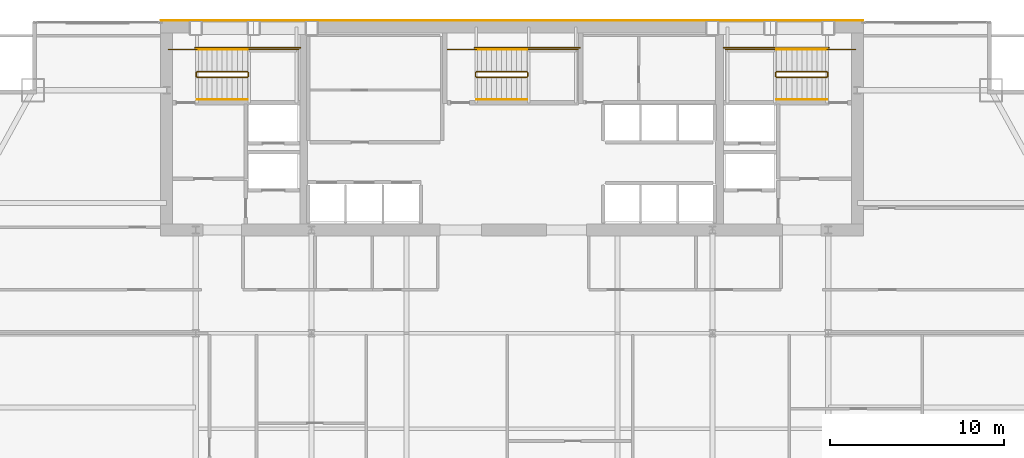
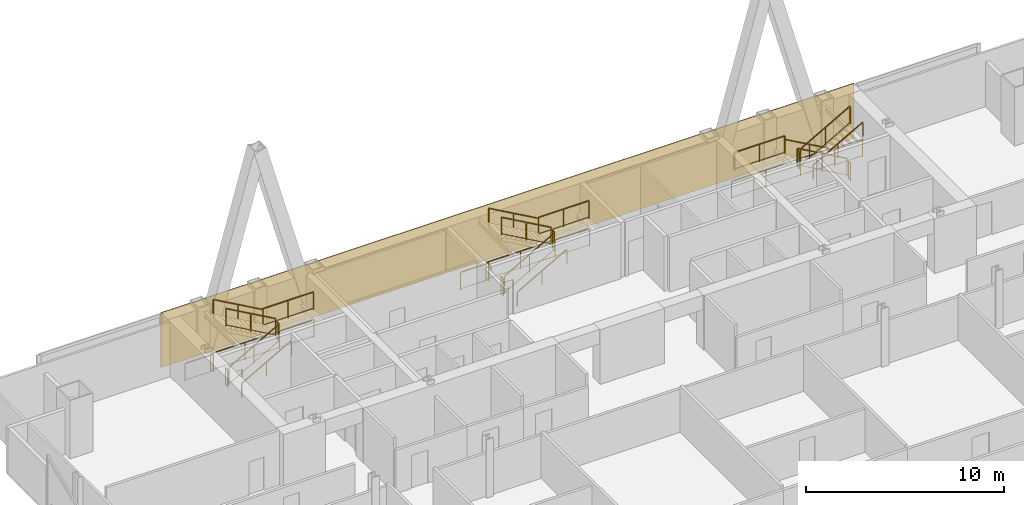
# One storey, part 31 of 31: 27 railings, 1 covering.
"""IFC4 building model written with IfcOpenShell, lengths in metres."""

from ifc_helpers import new_model, si_unit, direction, frame, origin, origin_2d, place, context, subcontext, project, spatial, polyline, rectangle, outline, extrude, material, layer, layer_set, type_object, element, save


model = new_model("IFC4")

# Units and contexts
model_context = context("Model", 3, precision=1e-05, world=origin(), true_north=direction((0.0, 1.0)))
body_context = subcontext(model_context, "Body", "Model", "MODEL_VIEW")
ifc_project = project(units=[si_unit("LENGTHUNIT", "METRE"), si_unit("AREAUNIT", "SQUARE_METRE"), si_unit("VOLUMEUNIT", "CUBIC_METRE"), si_unit("PLANEANGLEUNIT", "RADIAN"), si_unit("MASSUNIT", "GRAM", prefix="KILO")], contexts=[model_context])

# Site, building, storey
site_placement = place(None, origin())
site = spatial("IfcSite", under=ifc_project, at=site_placement, CompositionType="ELEMENT")
building_placement = place(site_placement, origin())
building = spatial("IfcBuilding", under=site, at=building_placement, Name="Khoronbel Lancet Exchange", CompositionType="ELEMENT")
storey_placement = place(building_placement, frame((0.0, 0.0, 168.60009765625)))
storey = spatial("IfcBuildingStorey", under=building, at=storey_placement, Name="L42", CompositionType="ELEMENT", Elevation=168.60009765625)

# Covering
ifc_material_1 = material(Name="Honed Egyptian Limestone & Bronze Rainscreen", Category="masonry")
ifc_layer = layer(ifc_material_1, 0.050048828125, Name="Honed Egyptian Limestone & Bronze Rainscreen")
ifc_layer_set = layer_set([ifc_layer], Name="Honed Egyptian Limestone & Bronze Rainscreen")
covering_type = type_object("IfcCoveringType", Name="COV-CLAD1", PredefinedType="CLADDING", material=ifc_layer_set)
covering_placement = place(storey_placement, origin())
element("IfcCovering", 1, at=covering_placement, inside=storey, type_object=covering_type, Name="Level L42 north rear-core stone and bronze rainscreen cladding", PredefinedType="CLADDING", context=body_context, shape_type="SweptSolid", body=[
    extrude(outline(polyline([(16.199951171875, 53.699951171875), (56.699951171875, 53.699951171875), (56.699951171875, 53.75), (16.199951171875, 53.75), (16.199951171875, 53.699951171875)])), origin(), (0.0, 0.0, 1.0), 3.3798828125),
])

# Railings
ifc_material_2 = material(Name="Painted Steel Balustrade", Category="steel")
railing_type_1 = type_object("IfcRailingType", Name="RL-STG110", PredefinedType="GUARDRAIL", material=ifc_material_2)
railing_1_placement = place(storey_placement, frame((18.300048828125, 50.449951171875, 0.16357421875)))
element("IfcRailing", 2, at=railing_1_placement, inside=storey, type_object=railing_type_1, Name="L42 ST1 stair guard 1", PredefinedType="GUARDRAIL", context=body_context, shape_type="SweptSolid", body=[
    extrude(rectangle(XDim=0.048095703125, YDim=0.048095703125, at=origin_2d()), frame((0.0, 0.0, 1.09619140625), z_axis=(0.870928581787, 0.0, 0.491409610636), x_axis=(0.0, 1.0, 0.0)), (0.0, 0.0, 1.0), 3.32958984375),
    extrude(rectangle(XDim=0.02392578125, YDim=0.02392578125, at=origin_2d()), frame((0.0, 0.0, 0.080078125), z_axis=(0.870928581787, 0.0, 0.491409610636), x_axis=(0.0, 1.0, 0.0)), (0.0, 0.0, 1.0), 3.32958984375),
    extrude(rectangle(XDim=0.0419921875, YDim=0.0419921875, at=origin_2d()), origin(), (0.0, 0.0, 1.0), 1.072021484375),
    extrude(rectangle(XDim=0.0419921875, YDim=0.0419921875, at=origin_2d()), frame((1.449951171875, 0.0, 0.818115234375)), (0.0, 0.0, 1.0), 1.072021484375),
    extrude(rectangle(XDim=0.0419921875, YDim=0.0419921875, at=origin_2d()), frame((2.89990234375, 0.0, 1.63623046875)), (0.0, 0.0, 1.0), 1.072021484375),
])
railing_2_placement = place(storey_placement, frame((21.25, 50.5, 1.7998046875)))
element("IfcRailing", 3, at=railing_2_placement, inside=storey, type_object=railing_type_1, Name="L42 ST1 stair guard 2", PredefinedType="GUARDRAIL", context=body_context, shape_type="SweptSolid", body=[
    extrude(rectangle(XDim=0.048095703125, YDim=0.048095703125, at=origin_2d()), frame((0.0, 0.0, 1.09619140625), z_axis=(0.0, 1.0, 0.0), x_axis=(-1.0, 0.0, 0.0)), (0.0, 0.0, 1.0), 0.219970703125),
    extrude(rectangle(XDim=0.02392578125, YDim=0.02392578125, at=origin_2d()), frame((0.0, 0.0, 0.080078125), z_axis=(0.0, 1.0, 0.0), x_axis=(-1.0, 0.0, 0.0)), (0.0, 0.0, 1.0), 0.219970703125),
    extrude(rectangle(XDim=0.0419921875, YDim=0.0419921875, at=origin_2d()), origin(), (0.0, 0.0, 1.0), 1.072021484375),
    extrude(rectangle(XDim=0.0419921875, YDim=0.0419921875, at=origin_2d()), frame((0.0, 0.219970703125, 0.0)), (0.0, 0.0, 1.0), 1.072021484375),
])
railing_3_placement = place(storey_placement, frame((21.199951171875, 52.050048828125, 1.7998046875)))
element("IfcRailing", 4, at=railing_3_placement, inside=storey, type_object=railing_type_1, Name="L42 ST1 stair guard 3", PredefinedType="GUARDRAIL", context=body_context, shape_type="SweptSolid", body=[
    extrude(rectangle(XDim=0.048095703125, YDim=0.048095703125, at=origin_2d()), frame((0.0, 0.0, 1.09619140625), z_axis=(1.0, 0.0, 0.0), x_axis=(0.0, 1.0, 0.0)), (0.0, 0.0, 1.0), 2.949951171875),
    extrude(rectangle(XDim=0.02392578125, YDim=0.02392578125, at=origin_2d()), frame((0.0, 0.0, 0.080078125), z_axis=(1.0, 0.0, 0.0), x_axis=(0.0, 1.0, 0.0)), (0.0, 0.0, 1.0), 2.949951171875),
    extrude(rectangle(XDim=0.0419921875, YDim=0.0419921875, at=origin_2d()), origin(), (0.0, 0.0, 1.0), 1.072021484375),
    extrude(rectangle(XDim=0.0419921875, YDim=0.0419921875, at=origin_2d()), frame((1.47509765625, 0.0, 0.0)), (0.0, 0.0, 1.0), 1.072021484375),
    extrude(rectangle(XDim=0.0419921875, YDim=0.0419921875, at=origin_2d()), frame((2.949951171875, 0.0, 0.0)), (0.0, 0.0, 1.0), 1.072021484375),
])
railing_4_placement = place(storey_placement, frame((21.199951171875, 50.77001953125, 1.963623046875)))
element("IfcRailing", 5, at=railing_4_placement, inside=storey, type_object=railing_type_1, Name="L42 ST1 stair guard 4", PredefinedType="GUARDRAIL", context=body_context, shape_type="SweptSolid", body=[
    extrude(rectangle(XDim=0.048095703125, YDim=0.048095703125, at=origin_2d()), frame((0.0, 0.0, 1.09619140625), z_axis=(-0.870928581787, 0.0, 0.491409610636), x_axis=(0.0, -1.0, 0.0)), (0.0, 0.0, 1.0), 3.32958984375),
    extrude(rectangle(XDim=0.02392578125, YDim=0.02392578125, at=origin_2d()), frame((0.0, 0.0, 0.080078125), z_axis=(-0.870928581787, 0.0, 0.491409610636), x_axis=(0.0, -1.0, 0.0)), (0.0, 0.0, 1.0), 3.32958984375),
    extrude(rectangle(XDim=0.0419921875, YDim=0.0419921875, at=origin_2d()), origin(), (0.0, 0.0, 1.0), 1.072021484375),
    extrude(rectangle(XDim=0.0419921875, YDim=0.0419921875, at=origin_2d()), frame((-1.449951171875, 0.0, 0.818115234375)), (0.0, 0.0, 1.0), 1.072021484375),
    extrude(rectangle(XDim=0.0419921875, YDim=0.0419921875, at=origin_2d()), frame((-2.89990234375, 0.0, 1.63623046875)), (0.0, 0.0, 1.0), 1.072021484375),
])
railing_5_placement = place(storey_placement, frame((18.25, 50.5, 0.0)))
element("IfcRailing", 6, at=railing_5_placement, inside=storey, type_object=railing_type_1, Name="L42 ST1 stair guard 5", PredefinedType="GUARDRAIL", context=body_context, shape_type="SweptSolid", body=[
    extrude(rectangle(XDim=0.048095703125, YDim=0.048095703125, at=origin_2d()), frame((0.0, 0.0, 1.09619140625), z_axis=(0.0, 1.0, 0.0), x_axis=(-1.0, 0.0, 0.0)), (0.0, 0.0, 1.0), 0.219970703125),
    extrude(rectangle(XDim=0.02392578125, YDim=0.02392578125, at=origin_2d()), frame((0.0, 0.0, 0.080078125), z_axis=(0.0, 1.0, 0.0), x_axis=(-1.0, 0.0, 0.0)), (0.0, 0.0, 1.0), 0.219970703125),
    extrude(rectangle(XDim=0.0419921875, YDim=0.0419921875, at=origin_2d()), origin(), (0.0, 0.0, 1.0), 1.072021484375),
    extrude(rectangle(XDim=0.0419921875, YDim=0.0419921875, at=origin_2d()), frame((0.0, 0.219970703125, 0.0)), (0.0, 0.0, 1.0), 1.072021484375),
])
railing_6_placement = place(storey_placement, frame((16.64990234375, 52.050048828125, 0.0)))
element("IfcRailing", 7, at=railing_6_placement, inside=storey, type_object=railing_type_1, Name="L42 ST1 stair guard 6", PredefinedType="GUARDRAIL", context=body_context, shape_type="SweptSolid", body=[
    extrude(rectangle(XDim=0.048095703125, YDim=0.048095703125, at=origin_2d()), frame((0.0, 0.0, 1.09619140625), z_axis=(1.0, 0.0, 0.0), x_axis=(0.0, 1.0, 0.0)), (0.0, 0.0, 1.0), 1.650146484375),
    extrude(rectangle(XDim=0.02392578125, YDim=0.02392578125, at=origin_2d()), frame((0.0, 0.0, 0.080078125), z_axis=(1.0, 0.0, 0.0), x_axis=(0.0, 1.0, 0.0)), (0.0, 0.0, 1.0), 1.650146484375),
    extrude(rectangle(XDim=0.0419921875, YDim=0.0419921875, at=origin_2d()), origin(), (0.0, 0.0, 1.0), 1.072021484375),
    extrude(rectangle(XDim=0.0419921875, YDim=0.0419921875, at=origin_2d()), frame((1.650146484375, 0.0, 0.0)), (0.0, 0.0, 1.0), 1.072021484375),
])
railing_7_placement = place(storey_placement, frame((18.199951171875, 52.14990234375, 0.0)))
element("IfcRailing", 8, at=railing_7_placement, inside=storey, type_object=railing_type_1, Name="L42 ST1 stair guard 7", PredefinedType="GUARDRAIL", context=body_context, shape_type="SweptSolid", body=[
    extrude(rectangle(XDim=0.048095703125, YDim=0.048095703125, at=origin_2d()), frame((0.0, 0.0, 1.09619140625), z_axis=(1.0, 0.0, 0.0), x_axis=(0.0, 1.0, 0.0)), (0.0, 0.0, 1.0), 6.050048828125),
    extrude(rectangle(XDim=0.02392578125, YDim=0.02392578125, at=origin_2d()), frame((0.0, 0.0, 0.080078125), z_axis=(1.0, 0.0, 0.0), x_axis=(0.0, 1.0, 0.0)), (0.0, 0.0, 1.0), 6.050048828125),
    extrude(rectangle(XDim=0.0419921875, YDim=0.0419921875, at=origin_2d()), origin(), (0.0, 0.0, 1.0), 1.072021484375),
    extrude(rectangle(XDim=0.0419921875, YDim=0.0419921875, at=origin_2d()), frame((2.0166015625, 0.0, 0.0)), (0.0, 0.0, 1.0), 1.072021484375),
    extrude(rectangle(XDim=0.0419921875, YDim=0.0419921875, at=origin_2d()), frame((4.033447265625, 0.0, 0.0)), (0.0, 0.0, 1.0), 1.072021484375),
    extrude(rectangle(XDim=0.0419921875, YDim=0.0419921875, at=origin_2d()), frame((6.050048828125, 0.0, 0.0)), (0.0, 0.0, 1.0), 1.072021484375),
])
railing_8_placement = place(storey_placement, frame((54.60009765625, 50.77001953125, 0.16357421875)))
element("IfcRailing", 9, at=railing_8_placement, inside=storey, type_object=railing_type_1, Name="L42 ST2 stair guard 1", PredefinedType="GUARDRAIL", context=body_context, shape_type="SweptSolid", body=[
    extrude(rectangle(XDim=0.048095703125, YDim=0.048095703125, at=origin_2d()), frame((0.0, 0.0, 1.09619140625), z_axis=(-0.870946286338, 0.0, 0.49137823142), x_axis=(0.0, -1.0, 0.0)), (0.0, 0.0, 1.0), 3.329833984375),
    extrude(rectangle(XDim=0.02392578125, YDim=0.02392578125, at=origin_2d()), frame((0.0, 0.0, 0.080078125), z_axis=(-0.870946286338, 0.0, 0.49137823142), x_axis=(0.0, -1.0, 0.0)), (0.0, 0.0, 1.0), 3.329833984375),
    extrude(rectangle(XDim=0.0419921875, YDim=0.0419921875, at=origin_2d()), origin(), (0.0, 0.0, 1.0), 1.072021484375),
    extrude(rectangle(XDim=0.0419921875, YDim=0.0419921875, at=origin_2d()), frame((-1.4501953125, 0.0, 0.818115234375)), (0.0, 0.0, 1.0), 1.072021484375),
    extrude(rectangle(XDim=0.0419921875, YDim=0.0419921875, at=origin_2d()), frame((-2.900146484375, 0.0, 1.63623046875)), (0.0, 0.0, 1.0), 1.072021484375),
])
railing_9_placement = place(storey_placement, frame((51.64990234375, 50.719970703125, 1.7998046875)))
element("IfcRailing", 10, at=railing_9_placement, inside=storey, type_object=railing_type_1, Name="L42 ST2 stair guard 2", PredefinedType="GUARDRAIL", context=body_context, shape_type="SweptSolid", body=[
    extrude(rectangle(XDim=0.048095703125, YDim=0.048095703125, at=origin_2d()), frame((0.0, 0.0, 1.09619140625), z_axis=(0.0, -1.0, 0.0), x_axis=(1.0, 0.0, 0.0)), (0.0, 0.0, 1.0), 0.219970703125),
    extrude(rectangle(XDim=0.02392578125, YDim=0.02392578125, at=origin_2d()), frame((0.0, 0.0, 0.080078125), z_axis=(0.0, -1.0, 0.0), x_axis=(1.0, 0.0, 0.0)), (0.0, 0.0, 1.0), 0.219970703125),
    extrude(rectangle(XDim=0.0419921875, YDim=0.0419921875, at=origin_2d()), origin(), (0.0, 0.0, 1.0), 1.072021484375),
    extrude(rectangle(XDim=0.0419921875, YDim=0.0419921875, at=origin_2d()), frame((0.0, -0.219970703125, 0.0)), (0.0, 0.0, 1.0), 1.072021484375),
])
railing_10_placement = place(storey_placement, frame((51.699951171875, 52.050048828125, 1.7998046875)))
element("IfcRailing", 11, at=railing_10_placement, inside=storey, type_object=railing_type_1, Name="L42 ST2 stair guard 3", PredefinedType="GUARDRAIL", context=body_context, shape_type="SweptSolid", body=[
    extrude(rectangle(XDim=0.048095703125, YDim=0.048095703125, at=origin_2d()), frame((0.0, 0.0, 1.09619140625), z_axis=(-1.0, 0.0, 0.0), x_axis=(0.0, -1.0, 0.0)), (0.0, 0.0, 1.0), 2.949951171875),
    extrude(rectangle(XDim=0.02392578125, YDim=0.02392578125, at=origin_2d()), frame((0.0, 0.0, 0.080078125), z_axis=(-1.0, 0.0, 0.0), x_axis=(0.0, -1.0, 0.0)), (0.0, 0.0, 1.0), 2.949951171875),
    extrude(rectangle(XDim=0.0419921875, YDim=0.0419921875, at=origin_2d()), origin(), (0.0, 0.0, 1.0), 1.072021484375),
    extrude(rectangle(XDim=0.0419921875, YDim=0.0419921875, at=origin_2d()), frame((-1.47509765625, 0.0, 0.0)), (0.0, 0.0, 1.0), 1.072021484375),
    extrude(rectangle(XDim=0.0419921875, YDim=0.0419921875, at=origin_2d()), frame((-2.949951171875, 0.0, 0.0)), (0.0, 0.0, 1.0), 1.072021484375),
])
railing_11_placement = place(storey_placement, frame((51.699951171875, 50.449951171875, 1.963623046875)))
element("IfcRailing", 12, at=railing_11_placement, inside=storey, type_object=railing_type_1, Name="L42 ST2 stair guard 4", PredefinedType="GUARDRAIL", context=body_context, shape_type="SweptSolid", body=[
    extrude(rectangle(XDim=0.048095703125, YDim=0.048095703125, at=origin_2d()), frame((0.0, 0.0, 1.09619140625), z_axis=(0.870946286338, 0.0, 0.49137823142), x_axis=(0.0, 1.0, 0.0)), (0.0, 0.0, 1.0), 3.329833984375),
    extrude(rectangle(XDim=0.02392578125, YDim=0.02392578125, at=origin_2d()), frame((0.0, 0.0, 0.080078125), z_axis=(0.870946286338, 0.0, 0.49137823142), x_axis=(0.0, 1.0, 0.0)), (0.0, 0.0, 1.0), 3.329833984375),
    extrude(rectangle(XDim=0.0419921875, YDim=0.0419921875, at=origin_2d()), origin(), (0.0, 0.0, 1.0), 1.072021484375),
    extrude(rectangle(XDim=0.0419921875, YDim=0.0419921875, at=origin_2d()), frame((1.4501953125, 0.0, 0.818115234375)), (0.0, 0.0, 1.0), 1.072021484375),
    extrude(rectangle(XDim=0.0419921875, YDim=0.0419921875, at=origin_2d()), frame((2.900146484375, 0.0, 1.63623046875)), (0.0, 0.0, 1.0), 1.072021484375),
])
railing_12_placement = place(storey_placement, frame((54.64990234375, 50.719970703125, 0.0)))
element("IfcRailing", 13, at=railing_12_placement, inside=storey, type_object=railing_type_1, Name="L42 ST2 stair guard 5", PredefinedType="GUARDRAIL", context=body_context, shape_type="SweptSolid", body=[
    extrude(rectangle(XDim=0.048095703125, YDim=0.048095703125, at=origin_2d()), frame((0.0, 0.0, 1.09619140625), z_axis=(0.0, -1.0, 0.0), x_axis=(1.0, 0.0, 0.0)), (0.0, 0.0, 1.0), 0.219970703125),
    extrude(rectangle(XDim=0.02392578125, YDim=0.02392578125, at=origin_2d()), frame((0.0, 0.0, 0.080078125), z_axis=(0.0, -1.0, 0.0), x_axis=(1.0, 0.0, 0.0)), (0.0, 0.0, 1.0), 0.219970703125),
    extrude(rectangle(XDim=0.0419921875, YDim=0.0419921875, at=origin_2d()), origin(), (0.0, 0.0, 1.0), 1.072021484375),
    extrude(rectangle(XDim=0.0419921875, YDim=0.0419921875, at=origin_2d()), frame((0.0, -0.219970703125, 0.0)), (0.0, 0.0, 1.0), 1.072021484375),
])
railing_13_placement = place(storey_placement, frame((56.25, 52.050048828125, 0.0)))
element("IfcRailing", 14, at=railing_13_placement, inside=storey, type_object=railing_type_1, Name="L42 ST2 stair guard 6", PredefinedType="GUARDRAIL", context=body_context, shape_type="SweptSolid", body=[
    extrude(rectangle(XDim=0.048095703125, YDim=0.048095703125, at=origin_2d()), frame((0.0, 0.0, 1.09619140625), z_axis=(-1.0, 0.0, 0.0), x_axis=(0.0, -1.0, 0.0)), (0.0, 0.0, 1.0), 1.64990234375),
    extrude(rectangle(XDim=0.02392578125, YDim=0.02392578125, at=origin_2d()), frame((0.0, 0.0, 0.080078125), z_axis=(-1.0, 0.0, 0.0), x_axis=(0.0, -1.0, 0.0)), (0.0, 0.0, 1.0), 1.64990234375),
    extrude(rectangle(XDim=0.0419921875, YDim=0.0419921875, at=origin_2d()), origin(), (0.0, 0.0, 1.0), 1.072021484375),
    extrude(rectangle(XDim=0.0419921875, YDim=0.0419921875, at=origin_2d()), frame((-1.64990234375, 0.0, 0.0)), (0.0, 0.0, 1.0), 1.072021484375),
])
railing_14_placement = place(storey_placement, frame((54.699951171875, 52.14990234375, 0.0)))
element("IfcRailing", 15, at=railing_14_placement, inside=storey, type_object=railing_type_1, Name="L42 ST2 stair guard 7", PredefinedType="GUARDRAIL", context=body_context, shape_type="SweptSolid", body=[
    extrude(rectangle(XDim=0.048095703125, YDim=0.048095703125, at=origin_2d()), frame((0.0, 0.0, 1.09619140625), z_axis=(-1.0, 0.0, 0.0), x_axis=(0.0, -1.0, 0.0)), (0.0, 0.0, 1.0), 6.050048828125),
    extrude(rectangle(XDim=0.02392578125, YDim=0.02392578125, at=origin_2d()), frame((0.0, 0.0, 0.080078125), z_axis=(-1.0, 0.0, 0.0), x_axis=(0.0, -1.0, 0.0)), (0.0, 0.0, 1.0), 6.050048828125),
    extrude(rectangle(XDim=0.0419921875, YDim=0.0419921875, at=origin_2d()), origin(), (0.0, 0.0, 1.0), 1.072021484375),
    extrude(rectangle(XDim=0.0419921875, YDim=0.0419921875, at=origin_2d()), frame((-2.0166015625, 0.0, 0.0)), (0.0, 0.0, 1.0), 1.072021484375),
    extrude(rectangle(XDim=0.0419921875, YDim=0.0419921875, at=origin_2d()), frame((-4.033447265625, 0.0, 0.0)), (0.0, 0.0, 1.0), 1.072021484375),
    extrude(rectangle(XDim=0.0419921875, YDim=0.0419921875, at=origin_2d()), frame((-6.050048828125, 0.0, 0.0)), (0.0, 0.0, 1.0), 1.072021484375),
])
railing_15_placement = place(storey_placement, frame((34.39990234375, 50.449951171875, 0.16357421875)))
element("IfcRailing", 16, at=railing_15_placement, inside=storey, type_object=railing_type_1, Name="L42 ST3 stair guard 1", PredefinedType="GUARDRAIL", context=body_context, shape_type="SweptSolid", body=[
    extrude(rectangle(XDim=0.048095703125, YDim=0.048095703125, at=origin_2d()), frame((0.0, 0.0, 1.09619140625), z_axis=(0.870946286338, 0.0, 0.49137823142), x_axis=(0.0, 1.0, 0.0)), (0.0, 0.0, 1.0), 3.329833984375),
    extrude(rectangle(XDim=0.02392578125, YDim=0.02392578125, at=origin_2d()), frame((0.0, 0.0, 0.080078125), z_axis=(0.870946286338, 0.0, 0.49137823142), x_axis=(0.0, 1.0, 0.0)), (0.0, 0.0, 1.0), 3.329833984375),
    extrude(rectangle(XDim=0.0419921875, YDim=0.0419921875, at=origin_2d()), origin(), (0.0, 0.0, 1.0), 1.072021484375),
    extrude(rectangle(XDim=0.0419921875, YDim=0.0419921875, at=origin_2d()), frame((1.4501953125, 0.0, 0.818115234375)), (0.0, 0.0, 1.0), 1.072021484375),
    extrude(rectangle(XDim=0.0419921875, YDim=0.0419921875, at=origin_2d()), frame((2.900146484375, 0.0, 1.63623046875)), (0.0, 0.0, 1.0), 1.072021484375),
])
railing_16_placement = place(storey_placement, frame((37.35009765625, 50.5, 1.7998046875)))
element("IfcRailing", 17, at=railing_16_placement, inside=storey, type_object=railing_type_1, Name="L42 ST3 stair guard 2", PredefinedType="GUARDRAIL", context=body_context, shape_type="SweptSolid", body=[
    extrude(rectangle(XDim=0.048095703125, YDim=0.048095703125, at=origin_2d()), frame((0.0, 0.0, 1.09619140625), z_axis=(0.0, 1.0, 0.0), x_axis=(-1.0, 0.0, 0.0)), (0.0, 0.0, 1.0), 0.219970703125),
    extrude(rectangle(XDim=0.02392578125, YDim=0.02392578125, at=origin_2d()), frame((0.0, 0.0, 0.080078125), z_axis=(0.0, 1.0, 0.0), x_axis=(-1.0, 0.0, 0.0)), (0.0, 0.0, 1.0), 0.219970703125),
    extrude(rectangle(XDim=0.0419921875, YDim=0.0419921875, at=origin_2d()), origin(), (0.0, 0.0, 1.0), 1.072021484375),
    extrude(rectangle(XDim=0.0419921875, YDim=0.0419921875, at=origin_2d()), frame((0.0, 0.219970703125, 0.0)), (0.0, 0.0, 1.0), 1.072021484375),
])
railing_17_placement = place(storey_placement, frame((37.300048828125, 52.050048828125, 1.7998046875)))
element("IfcRailing", 18, at=railing_17_placement, inside=storey, type_object=railing_type_1, Name="L42 ST3 stair guard 3", PredefinedType="GUARDRAIL", context=body_context, shape_type="SweptSolid", body=[
    extrude(rectangle(XDim=0.048095703125, YDim=0.048095703125, at=origin_2d()), frame((0.0, 0.0, 1.09619140625), z_axis=(1.0, 0.0, 0.0), x_axis=(0.0, 1.0, 0.0)), (0.0, 0.0, 1.0), 2.949951171875),
    extrude(rectangle(XDim=0.02392578125, YDim=0.02392578125, at=origin_2d()), frame((0.0, 0.0, 0.080078125), z_axis=(1.0, 0.0, 0.0), x_axis=(0.0, 1.0, 0.0)), (0.0, 0.0, 1.0), 2.949951171875),
    extrude(rectangle(XDim=0.0419921875, YDim=0.0419921875, at=origin_2d()), origin(), (0.0, 0.0, 1.0), 1.072021484375),
    extrude(rectangle(XDim=0.0419921875, YDim=0.0419921875, at=origin_2d()), frame((1.47509765625, 0.0, 0.0)), (0.0, 0.0, 1.0), 1.072021484375),
    extrude(rectangle(XDim=0.0419921875, YDim=0.0419921875, at=origin_2d()), frame((2.949951171875, 0.0, 0.0)), (0.0, 0.0, 1.0), 1.072021484375),
])
railing_18_placement = place(storey_placement, frame((37.300048828125, 50.77001953125, 1.963623046875)))
element("IfcRailing", 19, at=railing_18_placement, inside=storey, type_object=railing_type_1, Name="L42 ST3 stair guard 4", PredefinedType="GUARDRAIL", context=body_context, shape_type="SweptSolid", body=[
    extrude(rectangle(XDim=0.048095703125, YDim=0.048095703125, at=origin_2d()), frame((0.0, 0.0, 1.09619140625), z_axis=(-0.870946286338, 0.0, 0.49137823142), x_axis=(0.0, -1.0, 0.0)), (0.0, 0.0, 1.0), 3.329833984375),
    extrude(rectangle(XDim=0.02392578125, YDim=0.02392578125, at=origin_2d()), frame((0.0, 0.0, 0.080078125), z_axis=(-0.870946286338, 0.0, 0.49137823142), x_axis=(0.0, -1.0, 0.0)), (0.0, 0.0, 1.0), 3.329833984375),
    extrude(rectangle(XDim=0.0419921875, YDim=0.0419921875, at=origin_2d()), origin(), (0.0, 0.0, 1.0), 1.072021484375),
    extrude(rectangle(XDim=0.0419921875, YDim=0.0419921875, at=origin_2d()), frame((-1.4501953125, 0.0, 0.818115234375)), (0.0, 0.0, 1.0), 1.072021484375),
    extrude(rectangle(XDim=0.0419921875, YDim=0.0419921875, at=origin_2d()), frame((-2.900146484375, 0.0, 1.63623046875)), (0.0, 0.0, 1.0), 1.072021484375),
])
railing_19_placement = place(storey_placement, frame((34.35009765625, 50.5, 0.0)))
element("IfcRailing", 20, at=railing_19_placement, inside=storey, type_object=railing_type_1, Name="L42 ST3 stair guard 5", PredefinedType="GUARDRAIL", context=body_context, shape_type="SweptSolid", body=[
    extrude(rectangle(XDim=0.048095703125, YDim=0.048095703125, at=origin_2d()), frame((0.0, 0.0, 1.09619140625), z_axis=(0.0, 1.0, 0.0), x_axis=(-1.0, 0.0, 0.0)), (0.0, 0.0, 1.0), 0.219970703125),
    extrude(rectangle(XDim=0.02392578125, YDim=0.02392578125, at=origin_2d()), frame((0.0, 0.0, 0.080078125), z_axis=(0.0, 1.0, 0.0), x_axis=(-1.0, 0.0, 0.0)), (0.0, 0.0, 1.0), 0.219970703125),
    extrude(rectangle(XDim=0.0419921875, YDim=0.0419921875, at=origin_2d()), origin(), (0.0, 0.0, 1.0), 1.072021484375),
    extrude(rectangle(XDim=0.0419921875, YDim=0.0419921875, at=origin_2d()), frame((0.0, 0.219970703125, 0.0)), (0.0, 0.0, 1.0), 1.072021484375),
])
railing_20_placement = place(storey_placement, frame((32.75, 52.050048828125, 0.0)))
element("IfcRailing", 21, at=railing_20_placement, inside=storey, type_object=railing_type_1, Name="L42 ST3 stair guard 6", PredefinedType="GUARDRAIL", context=body_context, shape_type="SweptSolid", body=[
    extrude(rectangle(XDim=0.048095703125, YDim=0.048095703125, at=origin_2d()), frame((0.0, 0.0, 1.09619140625), z_axis=(1.0, 0.0, 0.0), x_axis=(0.0, 1.0, 0.0)), (0.0, 0.0, 1.0), 1.64990234375),
    extrude(rectangle(XDim=0.02392578125, YDim=0.02392578125, at=origin_2d()), frame((0.0, 0.0, 0.080078125), z_axis=(1.0, 0.0, 0.0), x_axis=(0.0, 1.0, 0.0)), (0.0, 0.0, 1.0), 1.64990234375),
    extrude(rectangle(XDim=0.0419921875, YDim=0.0419921875, at=origin_2d()), origin(), (0.0, 0.0, 1.0), 1.072021484375),
    extrude(rectangle(XDim=0.0419921875, YDim=0.0419921875, at=origin_2d()), frame((1.64990234375, 0.0, 0.0)), (0.0, 0.0, 1.0), 1.072021484375),
])
railing_21_placement = place(storey_placement, frame((34.300048828125, 52.14990234375, 0.0)))
element("IfcRailing", 22, at=railing_21_placement, inside=storey, type_object=railing_type_1, Name="L42 ST3 stair guard 7", PredefinedType="GUARDRAIL", context=body_context, shape_type="SweptSolid", body=[
    extrude(rectangle(XDim=0.048095703125, YDim=0.048095703125, at=origin_2d()), frame((0.0, 0.0, 1.09619140625), z_axis=(1.0, 0.0, 0.0), x_axis=(0.0, 1.0, 0.0)), (0.0, 0.0, 1.0), 6.050048828125),
    extrude(rectangle(XDim=0.02392578125, YDim=0.02392578125, at=origin_2d()), frame((0.0, 0.0, 0.080078125), z_axis=(1.0, 0.0, 0.0), x_axis=(0.0, 1.0, 0.0)), (0.0, 0.0, 1.0), 6.050048828125),
    extrude(rectangle(XDim=0.0419921875, YDim=0.0419921875, at=origin_2d()), origin(), (0.0, 0.0, 1.0), 1.072021484375),
    extrude(rectangle(XDim=0.0419921875, YDim=0.0419921875, at=origin_2d()), frame((2.0166015625, 0.0, 0.0)), (0.0, 0.0, 1.0), 1.072021484375),
    extrude(rectangle(XDim=0.0419921875, YDim=0.0419921875, at=origin_2d()), frame((4.033447265625, 0.0, 0.0)), (0.0, 0.0, 1.0), 1.072021484375),
    extrude(rectangle(XDim=0.0419921875, YDim=0.0419921875, at=origin_2d()), frame((6.050048828125, 0.0, 0.0)), (0.0, 0.0, 1.0), 1.072021484375),
])
ifc_material_3 = material(Name="Brushed Stainless Steel 316", Category="steel")
railing_type_2 = type_object("IfcRailingType", Name="RL-STH92", PredefinedType="HANDRAIL", material=ifc_material_3)
railing_22_placement = place(storey_placement, frame((18.300048828125, 49.169921875, 0.16357421875)))
element("IfcRailing", 23, at=railing_22_placement, inside=storey, type_object=railing_type_2, Name="L42 ST1 stair handrail 1", PredefinedType="HANDRAIL", context=body_context, shape_type="SweptSolid", body=[
    extrude(rectangle(XDim=0.048095703125, YDim=0.048095703125, at=origin_2d()), frame((0.0, 0.0, 0.8759765625), z_axis=(0.870928581787, 0.0, 0.491409610636), x_axis=(0.0, 1.0, 0.0)), (0.0, 0.0, 1.0), 3.32958984375),
    extrude(rectangle(XDim=0.0419921875, YDim=0.0419921875, at=origin_2d()), origin(), (0.0, 0.0, 1.0), 0.851806640625),
    extrude(rectangle(XDim=0.0419921875, YDim=0.0419921875, at=origin_2d()), frame((1.449951171875, 0.0, 0.818115234375)), (0.0, 0.0, 1.0), 0.851806640625),
    extrude(rectangle(XDim=0.0419921875, YDim=0.0419921875, at=origin_2d()), frame((2.89990234375, 0.0, 1.63623046875)), (0.0, 0.0, 1.0), 0.851806640625),
])
railing_23_placement = place(storey_placement, frame((21.199951171875, 52.050048828125, 1.963623046875)))
element("IfcRailing", 24, at=railing_23_placement, inside=storey, type_object=railing_type_2, Name="L42 ST1 stair handrail 2", PredefinedType="HANDRAIL", context=body_context, shape_type="SweptSolid", body=[
    extrude(rectangle(XDim=0.048095703125, YDim=0.048095703125, at=origin_2d()), frame((0.0, 0.0, 0.8759765625), z_axis=(-0.870928581787, 0.0, 0.491409610636), x_axis=(0.0, -1.0, 0.0)), (0.0, 0.0, 1.0), 3.32958984375),
    extrude(rectangle(XDim=0.0419921875, YDim=0.0419921875, at=origin_2d()), origin(), (0.0, 0.0, 1.0), 0.851806640625),
    extrude(rectangle(XDim=0.0419921875, YDim=0.0419921875, at=origin_2d()), frame((-1.449951171875, 0.0, 0.818115234375)), (0.0, 0.0, 1.0), 0.851806640625),
    extrude(rectangle(XDim=0.0419921875, YDim=0.0419921875, at=origin_2d()), frame((-2.89990234375, 0.0, 1.63623046875)), (0.0, 0.0, 1.0), 0.851806640625),
])
railing_24_placement = place(storey_placement, frame((54.60009765625, 52.050048828125, 0.16357421875)))
element("IfcRailing", 25, at=railing_24_placement, inside=storey, type_object=railing_type_2, Name="L42 ST2 stair handrail 1", PredefinedType="HANDRAIL", context=body_context, shape_type="SweptSolid", body=[
    extrude(rectangle(XDim=0.048095703125, YDim=0.048095703125, at=origin_2d()), frame((0.0, 0.0, 0.8759765625), z_axis=(-0.870946286338, 0.0, 0.49137823142), x_axis=(0.0, -1.0, 0.0)), (0.0, 0.0, 1.0), 3.329833984375),
    extrude(rectangle(XDim=0.0419921875, YDim=0.0419921875, at=origin_2d()), origin(), (0.0, 0.0, 1.0), 0.851806640625),
    extrude(rectangle(XDim=0.0419921875, YDim=0.0419921875, at=origin_2d()), frame((-1.4501953125, 0.0, 0.818115234375)), (0.0, 0.0, 1.0), 0.851806640625),
    extrude(rectangle(XDim=0.0419921875, YDim=0.0419921875, at=origin_2d()), frame((-2.900146484375, 0.0, 1.63623046875)), (0.0, 0.0, 1.0), 0.851806640625),
])
for number, where, name in (
    (26, (51.699951171875, 49.169921875, 1.963623046875), "L42 ST2 stair handrail 2"),
    (27, (34.39990234375, 49.169921875, 0.16357421875), "L42 ST3 stair handrail 1"),
):
    element("IfcRailing", number, at=place(storey_placement, frame(where)), inside=storey, type_object=railing_type_2, Name=name, PredefinedType="HANDRAIL", context=body_context, shape_type="SweptSolid", body=[
        extrude(rectangle(XDim=0.048095703125, YDim=0.048095703125, at=origin_2d()), frame((0.0, 0.0, 0.8759765625), z_axis=(0.870946286338, 0.0, 0.49137823142), x_axis=(0.0, 1.0, 0.0)), (0.0, 0.0, 1.0), 3.329833984375),
        extrude(rectangle(XDim=0.0419921875, YDim=0.0419921875, at=origin_2d()), origin(), (0.0, 0.0, 1.0), 0.851806640625),
        extrude(rectangle(XDim=0.0419921875, YDim=0.0419921875, at=origin_2d()), frame((1.4501953125, 0.0, 0.818115234375)), (0.0, 0.0, 1.0), 0.851806640625),
        extrude(rectangle(XDim=0.0419921875, YDim=0.0419921875, at=origin_2d()), frame((2.900146484375, 0.0, 1.63623046875)), (0.0, 0.0, 1.0), 0.851806640625),
    ])
railing_25_placement = place(storey_placement, frame((37.300048828125, 52.050048828125, 1.963623046875)))
element("IfcRailing", 28, at=railing_25_placement, inside=storey, type_object=railing_type_2, Name="L42 ST3 stair handrail 2", PredefinedType="HANDRAIL", context=body_context, shape_type="SweptSolid", body=[
    extrude(rectangle(XDim=0.048095703125, YDim=0.048095703125, at=origin_2d()), frame((0.0, 0.0, 0.8759765625), z_axis=(-0.870946286338, 0.0, 0.49137823142), x_axis=(0.0, -1.0, 0.0)), (0.0, 0.0, 1.0), 3.329833984375),
    extrude(rectangle(XDim=0.0419921875, YDim=0.0419921875, at=origin_2d()), origin(), (0.0, 0.0, 1.0), 0.851806640625),
    extrude(rectangle(XDim=0.0419921875, YDim=0.0419921875, at=origin_2d()), frame((-1.4501953125, 0.0, 0.818115234375)), (0.0, 0.0, 1.0), 0.851806640625),
    extrude(rectangle(XDim=0.0419921875, YDim=0.0419921875, at=origin_2d()), frame((-2.900146484375, 0.0, 1.63623046875)), (0.0, 0.0, 1.0), 0.851806640625),
])

save(model, "model.ifc")
